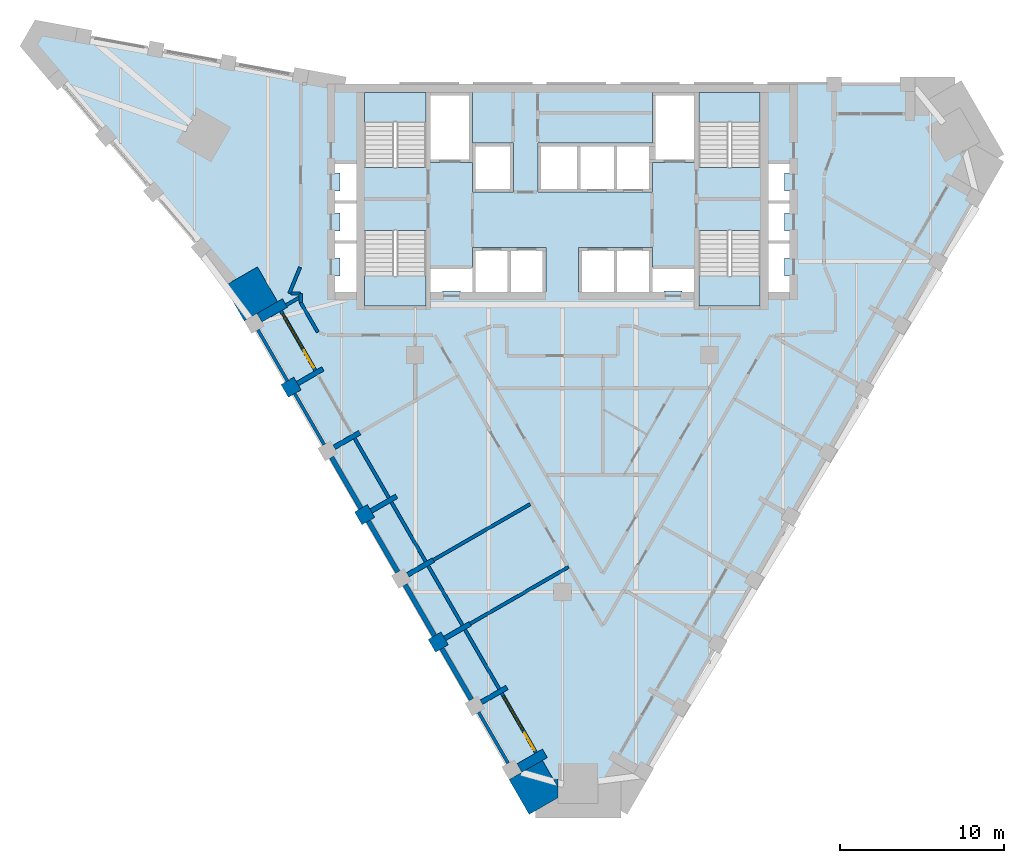
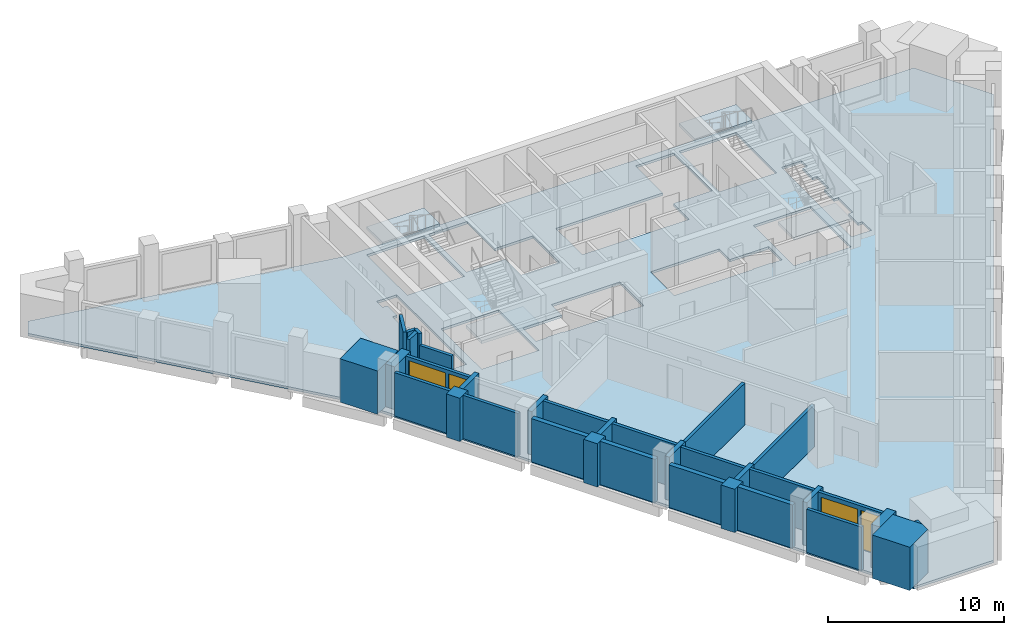
# One storey, part 2 of 9: 34 walls, 5 slabs, 2 doors, 2 windows, 4 openings, 4 elements without a shape of their own.
"""IFC4 building model written with IfcOpenShell, lengths in metres."""

from ifc_helpers import new_model, si_unit, direction, frame, frame_2d, origin, place, context, subcontext, project, spatial, polyline, rectangle, outline, extrude, material, layer, layer_set, type_object, element, fill, aggregate, save


model = new_model("IFC4")

# Units and contexts
model_context = context("Model", 3, precision=1e-05, world=origin(), true_north=direction((0.0, 1.0)))
body_context = subcontext(model_context, "Body", "Model", "MODEL_VIEW")
ifc_project = project(units=[si_unit("LENGTHUNIT", "METRE"), si_unit("AREAUNIT", "SQUARE_METRE"), si_unit("VOLUMEUNIT", "CUBIC_METRE"), si_unit("PLANEANGLEUNIT", "RADIAN"), si_unit("MASSUNIT", "GRAM", prefix="KILO")], contexts=[model_context])

# Site, building, storey
site_placement = place(None, origin())
site = spatial("IfcSite", under=ifc_project, at=site_placement, CompositionType="ELEMENT")
building_placement = place(site_placement, origin())
building = spatial("IfcBuilding", under=site, at=building_placement, Name="Calabash Gate Tower", CompositionType="ELEMENT")
storey_placement = place(building_placement, frame((0.0, 0.0, 208.10009765625)))
storey = spatial("IfcBuildingStorey", under=building, at=storey_placement, Name="L49", CompositionType="ELEMENT", Elevation=208.10009765625)

# Slab
ifc_material_1 = material(Name="Concrete C40/50", Category="concrete")
ifc_layer_1 = layer(ifc_material_1, 0.169921875)
ifc_layer_set_1 = layer_set([ifc_layer_1], Name="Composite floor slab 170 Concrete C40/50")
slab_type_1 = type_object("IfcSlabType", Name="Composite floor slab 170 Concrete C40/50", PredefinedType="FLOOR", material=ifc_layer_set_1)
slab_1_placement = place(storey_placement, frame((0.0, 0.0, -0.170166015625)))
element("IfcSlab", 1, at=slab_1_placement, inside=storey, type_object=slab_type_1, Name="Floor slab L49", PredefinedType="FLOOR", context=body_context, shape_type="SweptSolid", body=[
    extrude(outline(polyline([(3.575439453125, -25.377685546875), (-1.63916015625, -25.377685546875), (-20.291015625, 6.92822265625), (-32.620361328125, 21.43115234375), (-32.015625, 22.478515625), (-13.291015625, 19.052490234375), (24.0126953125, 19.052490234375), (26.619873046875, 14.53662109375), (3.575439453125, -25.377685546875)]), holes=[polyline([(-7.324951171875, 6.3525390625), (-7.324951171875, 6.402587890625), (-6.22509765625, 6.402587890625), (-6.22509765625, 6.3525390625), (-5.5, 6.3525390625), (-3.25, 6.3525390625), (-1.0, 6.3525390625), (-1.0, 9.052490234375), (-3.25, 9.052490234375), (-5.5, 9.052490234375), (-5.5, 7.8525390625), (-8.050048828125, 7.8525390625), (-8.050048828125, 6.3525390625), (-7.324951171875, 6.3525390625)]), polyline([(8.050048828125, 6.3525390625), (8.050048828125, 7.8525390625), (5.5, 7.8525390625), (5.5, 9.052490234375), (3.25, 9.052490234375), (1.0, 9.052490234375), (1.0, 6.3525390625), (3.25, 6.3525390625), (5.5, 6.3525390625), (6.22509765625, 6.3525390625), (6.22509765625, 6.402587890625), (7.324951171875, 6.402587890625), (7.324951171875, 6.3525390625), (8.050048828125, 6.3525390625)]), polyline([(-8.050048828125, 18.552490234375), (-8.050048828125, 14.252685546875), (-5.5, 14.252685546875), (-5.5, 12.45263671875), (-3.0, 12.45263671875), (-3.0, 15.45263671875), (-5.5, 15.45263671875), (-5.5, 18.552490234375), (-8.050048828125, 18.552490234375)]), polyline([(5.5, 14.252685546875), (8.050048828125, 14.252685546875), (8.050048828125, 18.552490234375), (5.5, 18.552490234375), (5.5, 15.45263671875), (3.25, 15.45263671875), (1.0, 15.45263671875), (-1.5, 15.45263671875), (-1.5, 12.45263671875), (1.0, 12.45263671875), (3.25, 12.45263671875), (5.5, 12.45263671875), (5.5, 14.252685546875)]), polyline([(-12.10009765625, 13.95263671875), (-8.35009765625, 13.95263671875), (-8.35009765625, 18.552490234375), (-12.10009765625, 18.552490234375), (-12.10009765625, 13.95263671875)]), polyline([(-8.35009765625, 5.502685546875), (-8.35009765625, 10.1025390625), (-12.10009765625, 10.1025390625), (-12.10009765625, 5.502685546875), (-8.35009765625, 5.502685546875)]), polyline([(12.10009765625, 18.552490234375), (8.35009765625, 18.552490234375), (8.35009765625, 13.95263671875), (12.10009765625, 13.95263671875), (12.10009765625, 18.552490234375)]), polyline([(8.35009765625, 10.1025390625), (8.35009765625, 5.502685546875), (12.10009765625, 5.502685546875), (12.10009765625, 10.1025390625), (8.35009765625, 10.1025390625)]), polyline([(-13.89990234375, 6.3525390625), (-12.60009765625, 6.3525390625), (-12.60009765625, 9.402587890625), (-12.60009765625, 11.842529296875), (-12.60009765625, 14.28271484375), (-13.89990234375, 14.28271484375), (-13.89990234375, 13.612548828125), (-13.60009765625, 13.612548828125), (-13.60009765625, 12.5126953125), (-13.89990234375, 12.5126953125), (-13.89990234375, 11.842529296875), (-13.89990234375, 11.172607421875), (-13.60009765625, 11.172607421875), (-13.60009765625, 10.072509765625), (-13.89990234375, 10.072509765625), (-13.89990234375, 9.402587890625), (-13.89990234375, 8.427490234375), (-13.60009765625, 8.427490234375), (-13.60009765625, 7.32763671875), (-13.89990234375, 7.32763671875), (-13.89990234375, 6.3525390625)]), polyline([(13.60009765625, 7.32763671875), (13.60009765625, 8.427490234375), (13.89990234375, 8.427490234375), (13.89990234375, 9.402587890625), (13.89990234375, 10.072509765625), (13.60009765625, 10.072509765625), (13.60009765625, 11.172607421875), (13.89990234375, 11.172607421875), (13.89990234375, 11.842529296875), (13.89990234375, 12.5126953125), (13.60009765625, 12.5126953125), (13.60009765625, 13.612548828125), (13.89990234375, 13.612548828125), (13.89990234375, 14.28271484375), (12.60009765625, 14.28271484375), (12.60009765625, 11.842529296875), (12.60009765625, 9.402587890625), (12.60009765625, 6.3525390625), (13.89990234375, 6.3525390625), (13.89990234375, 7.32763671875), (13.60009765625, 7.32763671875)])]), origin(), (0.0, 0.0, 1.0), 0.170166015625),
])

# Stair, slab
ifc_material_2 = material(Name="Concrete C40/50", Category="concrete")
stair_type = type_object("IfcStairType", Name="Exit stair 22 risers of 177.3 mm", PredefinedType="HALF_TURN_STAIR", material=ifc_material_2)
stair_1_placement = place(storey_placement, origin())
stair_1 = element("IfcStair", 2, at=stair_1_placement, inside=storey, type_object=stair_type, Name="L49 Exit stair ST1", PredefinedType="HALF_TURN_STAIR")
ifc_material_3 = material(Name="Concrete C40/50", Category="concrete")
ifc_layer_2 = layer(ifc_material_3, 0.199951171875)
ifc_layer_set_2 = layer_set([ifc_layer_2], Name="Stair landing SL200")
slab_type_2 = type_object("IfcSlabType", Name="Stair landing SL200", PredefinedType="LANDING", material=ifc_layer_set_2)
slab_2_placement = place(storey_placement, frame((0.0, 0.0, 1.75)))
slab_2 = element("IfcSlab", 3, at=slab_2_placement, type_object=slab_type_2, Name="ST1 landing 1", PredefinedType="LANDING", context=body_context, shape_type="SweptSolid", body=[
    extrude(outline(polyline([(-8.35009765625, 16.74267578125), (-8.35009765625, 18.552490234375), (-12.10009765625, 18.552490234375), (-12.10009765625, 16.74267578125), (-8.35009765625, 16.74267578125)])), origin(), (0.0, 0.0, 1.0), 0.199951171875),
])
aggregate(stair_1, [slab_2])

stair_2_placement = place(storey_placement, origin())
stair_2 = element("IfcStair", 4, at=stair_2_placement, inside=storey, type_object=stair_type, Name="L49 Exit stair ST2", PredefinedType="HALF_TURN_STAIR")
slab_3_placement = place(storey_placement, frame((0.0, 0.0, 1.75)))
slab_3 = element("IfcSlab", 5, at=slab_3_placement, type_object=slab_type_2, Name="ST2 landing 1", PredefinedType="LANDING", context=body_context, shape_type="SweptSolid", body=[
    extrude(outline(polyline([(-12.10009765625, 7.3125), (-12.10009765625, 5.502685546875), (-8.35009765625, 5.502685546875), (-8.35009765625, 7.3125), (-12.10009765625, 7.3125)])), origin(), (0.0, 0.0, 1.0), 0.199951171875),
])
aggregate(stair_2, [slab_3])

stair_3_placement = place(storey_placement, origin())
stair_3 = element("IfcStair", 6, at=stair_3_placement, inside=storey, type_object=stair_type, Name="L49 Exit stair ST3", PredefinedType="HALF_TURN_STAIR")
slab_4_placement = place(storey_placement, frame((0.0, 0.0, 1.75)))
slab_4 = element("IfcSlab", 7, at=slab_4_placement, type_object=slab_type_2, Name="ST3 landing 1", PredefinedType="LANDING", context=body_context, shape_type="SweptSolid", body=[
    extrude(outline(polyline([(12.10009765625, 16.74267578125), (12.10009765625, 18.552490234375), (8.35009765625, 18.552490234375), (8.35009765625, 16.74267578125), (12.10009765625, 16.74267578125)])), origin(), (0.0, 0.0, 1.0), 0.199951171875),
])
aggregate(stair_3, [slab_4])

stair_4_placement = place(storey_placement, origin())
stair_4 = element("IfcStair", 8, at=stair_4_placement, inside=storey, type_object=stair_type, Name="L49 Exit stair ST4", PredefinedType="HALF_TURN_STAIR")
slab_5_placement = place(storey_placement, frame((0.0, 0.0, 1.75)))
slab_5 = element("IfcSlab", 9, at=slab_5_placement, type_object=slab_type_2, Name="ST4 landing 1", PredefinedType="LANDING", context=body_context, shape_type="SweptSolid", body=[
    extrude(outline(polyline([(8.35009765625, 7.3125), (8.35009765625, 5.502685546875), (12.10009765625, 5.502685546875), (12.10009765625, 7.3125), (8.35009765625, 7.3125)])), origin(), (0.0, 0.0, 1.0), 0.199951171875),
])
aggregate(stair_4, [slab_5])

# Walls
ifc_material_4 = material(Name="Terracotta brick masonry, exposed face", Category="masonry")
ifc_layer_3 = layer(ifc_material_4, 2.35009765625)
ifc_layer_set_3 = layer_set([ifc_layer_3], Name="Brick corner mass wall 2350")
wall_type_1 = type_object("IfcWallType", Name="Brick corner mass wall 2350", PredefinedType="SOLIDWALL", material=ifc_layer_set_3)
wall_1_placement = place(storey_placement, origin())
element("IfcWall", 10, at=wall_1_placement, inside=storey, type_object=wall_type_1, Name="Brick corner pier S14 1", PredefinedType="SOLIDWALL", context=body_context, shape_type="SweptSolid", body=[
    extrude(outline(polyline([(-19.45458984375, 4.581787109375), (-18.67529296875, 5.03173828125), (-18.674560546875, 5.0302734375), (-17.419677734375, 5.7548828125), (-18.6455078125, 7.878173828125), (-20.6806640625, 6.703125), (-19.454833984375, 4.579833984375), (-19.453857421875, 4.580322265625), (-19.45458984375, 4.581787109375)])), origin(), (0.0, 0.0, 1.0), 3.0),
])
wall_2_placement = place(storey_placement, origin())
element("IfcWall", 11, at=wall_2_placement, inside=storey, type_object=wall_type_1, Name="Brick corner pier S14 2a", PredefinedType="SOLIDWALL", context=body_context, shape_type="SweptSolid", body=[
    extrude(outline(polyline([(-0.257080078125, -23.9716796875), (-1.219482421875, -22.30419921875), (-3.254638671875, -23.479248046875), (-2.02880859375, -25.6025390625), (-0.257080078125, -24.57958984375), (-0.257080078125, -23.9716796875)])), origin(), (0.0, 0.0, 1.0), 3.0),
])
wall_3_placement = place(storey_placement, origin())
element("IfcWall", 12, at=wall_3_placement, inside=storey, type_object=wall_type_1, Name="Brick corner pier S14 2bb", PredefinedType="SOLIDWALL", context=body_context, shape_type="SweptSolid", body=[
    extrude(outline(polyline([(-0.542236328125, -23.4775390625), (-0.257080078125, -23.9716796875), (-0.257080078125, -23.4775390625), (-0.542236328125, -23.4775390625)])), origin(), (0.0, 0.0, 1.0), 3.0),
])
ifc_material_5 = material(Name="Terracotta brick masonry, exposed face", Category="masonry")
ifc_layer_4 = layer(ifc_material_5, 0.89990234375)
ifc_layer_set_4 = layer_set([ifc_layer_4], Name="Brick end wall 900")
wall_type_2 = type_object("IfcWallType", Name="Brick end wall 900", PredefinedType="SOLIDWALL", material=ifc_layer_set_4)
for number, where, z_axis, x_axis, name in (
    (13, (-16.81494140625, 0.90771484375, 0.0), (0.0, 0.0, 1.0), (0.50001992892, -0.866013897511, 0.0), "Brick pier S14 SW0.1"),
    (14, (-12.479736328125, -7.501220703125, 0.0), (0.0, 0.0, 1.0), (0.865896406789, 0.500223362819, 0.0), "Brick pier S14 SW0.3"),
    (15, (-7.979736328125, -15.29541015625, 0.0), (0.0, 0.0, 1.0), (0.866013897511, 0.50001992892, 0.0), "Brick pier S14 SW0.5"),
):
    element("IfcWall", number, at=place(storey_placement, frame(where, z_axis=z_axis, x_axis=x_axis)), inside=storey, type_object=wall_type_2, Name=name, PredefinedType="SOLIDWALL", context=body_context, shape_type="SweptSolid", body=[
        extrude(rectangle(XDim=0.89990234375, YDim=0.89990234375, at=frame_2d((0.449951171875, 0.0))), origin(), (0.0, 0.0, 1.0), 3.0),
    ])
ifc_material_6 = material(Name="Terracotta brick masonry, exposed face", Category="masonry")
ifc_layer_5 = layer(ifc_material_6, 0.300048828125)
ifc_layer_set_5 = layer_set([ifc_layer_5], Name="Brick infill panel wall 300")
wall_type_3 = type_object("IfcWallType", Name="Brick infill panel wall 300", PredefinedType="SOLIDWALL", material=ifc_layer_set_5)
for number, where, z_axis, x_axis, name in (
    (16, (-14.114990234375, -3.768798828125, 0.0), (0.0, 0.0, 1.0), (0.500012057535, -0.866018442252, 0.0), "Brick panel S14 SW0.3"),
    (17, (-11.864990234375, -7.665771484375, 0.0), (0.0, 0.0, 1.0), (0.500012057535, -0.866018442252, 0.0), "Brick panel S14 SW0.4"),
):
    element("IfcWall", number, at=place(storey_placement, frame(where, z_axis=z_axis, x_axis=x_axis)), inside=storey, type_object=wall_type_3, Name=name, PredefinedType="SOLIDWALL", context=body_context, shape_type="SweptSolid", body=[
        extrude(rectangle(XDim=3.60009765625, YDim=0.300048828125, at=frame_2d((1.800048828125, 0.0))), origin(), (0.0, 0.0, 1.0), 3.0),
    ])
wall_4_placement = place(storey_placement, frame((-9.614990234375, -11.56298828125, 0.0), z_axis=(0.0, 0.0, 1.0), x_axis=(0.500012057535, -0.866018442252, 0.0)))
element("IfcWall", 18, at=wall_4_placement, inside=storey, type_object=wall_type_3, Name="Brick panel S14 SW0.5", PredefinedType="SOLIDWALL", context=body_context, shape_type="SweptSolid", body=[
    extrude(rectangle(XDim=3.60009765625, YDim=0.300048828125, at=frame_2d((1.800048828125, 0.0))), origin(), (0.0, 0.0, 1.0), 2.949951171875),
])
wall_5_placement = place(storey_placement, frame((-5.565185546875, -18.577392578125, 0.0), z_axis=(0.0, 0.0, 1.0), x_axis=(-0.499990559667, 0.866030854095, 0.0)))
element("IfcWall", 19, at=wall_5_placement, inside=storey, type_object=wall_type_3, Name="Brick panel S14 SW0.6", PredefinedType="SOLIDWALL", context=body_context, shape_type="SweptSolid", body=[
    extrude(rectangle(XDim=3.599609375, YDim=0.300048828125, at=frame_2d((1.7998046875, 0.0))), origin(), (0.0, 0.0, 1.0), 3.0),
])
ifc_material_7 = material(Name="Terracotta brick masonry, exposed face", Category="masonry")
ifc_layer_6 = layer(ifc_material_7, 0.300048828125)
ifc_layer_set_6 = layer_set([ifc_layer_6], Name="Brick loggia cheek wall 300")
wall_type_4 = type_object("IfcWallType", Name="Brick loggia cheek wall 300", PredefinedType="SOLIDWALL", material=ifc_layer_set_6)
wall_6_placement = place(storey_placement, frame((-18.5244140625, 4.7705078125, 0.0), z_axis=(0.0, 0.0, 1.0), x_axis=(0.86597086914, 0.50009444488, 0.0)))
element("IfcWall", 20, at=wall_6_placement, inside=storey, type_object=wall_type_4, Name="Loggia cheek S14 SW0.0", PredefinedType="SOLIDWALL", context=body_context, shape_type="SweptSolid", body=[
    extrude(rectangle(XDim=1.799072265625, YDim=0.60009765625, at=frame_2d((0.8994140625, 0.0))), origin(), (0.0, 0.0, 1.0), 2.949951171875),
])
wall_7_placement = place(storey_placement, frame((-16.200439453125, 0.7431640625, 0.0), z_axis=(0.0, 0.0, 1.0), x_axis=(0.866047807691, 0.499961193289, 0.0)))
element("IfcWall", 21, at=wall_7_placement, inside=storey, type_object=wall_type_4, Name="Loggia cheek S14 SW0.1", PredefinedType="SOLIDWALL", context=body_context, shape_type="SweptSolid", body=[
    extrude(rectangle(XDim=1.800048828125, YDim=0.300048828125, at=frame_2d((0.89990234375, 0.0))), origin(), (0.0, 0.0, 1.0), 3.0),
])
wall_8_placement = place(storey_placement, frame((-12.3916015625, -2.25390625, 0.0), z_axis=(0.0, 0.0, 1.0), x_axis=(-0.865955154139, -0.50012165622, 0.0)))
element("IfcWall", 22, at=wall_8_placement, inside=storey, type_object=wall_type_4, Name="Loggia cheek S14 SW0.2", PredefinedType="SOLIDWALL", context=body_context, shape_type="SweptSolid", body=[
    extrude(rectangle(XDim=1.7998046875, YDim=0.300048828125, at=frame_2d((0.89990234375, 0.0))), origin(), (0.0, 0.0, 1.0), 3.0),
])
wall_9_placement = place(storey_placement, frame((-10.1416015625, -6.151123046875, 0.0), z_axis=(0.0, 0.0, 1.0), x_axis=(-0.866047807691, -0.499961193289, 0.0)))
element("IfcWall", 23, at=wall_9_placement, inside=storey, type_object=wall_type_4, Name="Loggia cheek S14 SW0.3", PredefinedType="SOLIDWALL", context=body_context, shape_type="SweptSolid", body=[
    extrude(rectangle(XDim=1.800048828125, YDim=0.300048828125, at=frame_2d((0.89990234375, 0.0))), origin(), (0.0, 0.0, 1.0), 3.0),
])
wall_10_placement = place(storey_placement, frame((-7.8916015625, -10.04833984375, 0.0), z_axis=(0.0, 0.0, 1.0), x_axis=(-0.866013897511, -0.50001992892, 0.0)))
element("IfcWall", 24, at=wall_10_placement, inside=storey, type_object=wall_type_4, Name="Loggia cheek S14 SW0.4", PredefinedType="SOLIDWALL", context=body_context, shape_type="SweptSolid", body=[
    extrude(rectangle(XDim=1.7998046875, YDim=0.300048828125, at=frame_2d((0.89990234375, 0.0))), origin(), (0.0, 0.0, 1.0), 3.0),
])
wall_11_placement = place(storey_placement, frame((-7.200439453125, -14.845458984375, 0.0), z_axis=(0.0, 0.0, 1.0), x_axis=(0.865989075817, 0.500062916607, 0.0)))
element("IfcWall", 25, at=wall_11_placement, inside=storey, type_object=wall_type_4, Name="Loggia cheek S14 SW0.5", PredefinedType="SOLIDWALL", context=body_context, shape_type="SweptSolid", body=[
    extrude(rectangle(XDim=1.800048828125, YDim=0.300048828125, at=frame_2d((0.89990234375, 0.0))), origin(), (0.0, 0.0, 1.0), 3.0),
])
wall_12_placement = place(storey_placement, frame((-4.9501953125, -18.742431640625, 0.0), z_axis=(0.0, 0.0, 1.0), x_axis=(0.866013897511, 0.50001992892, 0.0)))
element("IfcWall", 26, at=wall_12_placement, inside=storey, type_object=wall_type_4, Name="Loggia cheek S14 SW0.6", PredefinedType="SOLIDWALL", context=body_context, shape_type="SweptSolid", body=[
    extrude(rectangle(XDim=1.7998046875, YDim=0.300048828125, at=frame_2d((0.89990234375, 0.0))), origin(), (0.0, 0.0, 1.0), 3.0),
])
wall_13_placement = place(storey_placement, frame((-1.06640625, -21.869384765625, 0.0), z_axis=(0.0, 0.0, 1.0), x_axis=(-0.865989075817, -0.500062916607, 0.0)))
element("IfcWall", 27, at=wall_13_placement, inside=storey, type_object=wall_type_4, Name="Loggia cheek S14 SW0.7", PredefinedType="SOLIDWALL", context=body_context, shape_type="SweptSolid", body=[
    extrude(rectangle(XDim=1.800048828125, YDim=0.60009765625, at=frame_2d((0.89990234375, 0.0))), origin(), (0.0, 0.0, 1.0), 3.0),
])
ifc_material_8 = material(Name="Gypsum board on steel studs, mineral wool", Category="steel")
ifc_layer_7 = layer(ifc_material_8, 0.199951171875)
ifc_layer_set_7 = layer_set([ifc_layer_7], Name="Partition 200 gypsum board EI 60")
wall_type_5 = type_object("IfcWallType", Name="Partition 200 gypsum board EI 60", PredefinedType="PARTITIONING", material=ifc_layer_set_7)
wall_14_placement = place(storey_placement, frame((-5.64111328125, -13.94580078125, 0.0), z_axis=(0.0, 0.0, 1.0), x_axis=(0.866131772529, 0.499815718657, 0.0)))
element("IfcWall", 28, at=wall_14_placement, inside=storey, type_object=wall_type_5, Name="Partition", PredefinedType="PARTITIONING", context=body_context, shape_type="SweptSolid", body=[
    extrude(rectangle(XDim=6.94921875, YDim=0.199951171875, at=frame_2d((3.474609375, 0.0))), origin(), (0.0, 0.0, 1.0), 2.884033203125),
])
wall_15_placement = place(storey_placement, frame((-7.891357421875, -10.04833984375, 0.0), z_axis=(0.0, 0.0, 1.0), x_axis=(0.866160062832, 0.499766691121, 0.0)))
element("IfcWall", 29, at=wall_15_placement, inside=storey, type_object=wall_type_5, Name="Partition", PredefinedType="PARTITIONING", context=body_context, shape_type="SweptSolid", body=[
    extrude(rectangle(XDim=6.847900390625, YDim=0.199951171875, at=frame_2d((3.423828125, 0.0))), origin(), (0.0, 0.0, 1.0), 2.884033203125),
])
wall_16_placement = place(storey_placement, frame((-16.00048828125, 5.696044921875, 0.0), z_axis=(0.0, 0.0, 1.0), x_axis=(0.500005339912, -0.866022320763, 0.0)))
element("IfcWall", 30, at=wall_16_placement, inside=storey, type_object=wall_type_5, Name="Partition", PredefinedType="PARTITIONING", context=body_context, shape_type="SweptSolid", body=[
    extrude(rectangle(XDim=2.091796875, YDim=0.199951171875, at=frame_2d((1.0458984375, 0.0))), origin(), (0.0, 0.0, 1.0), 2.949951171875),
])
wall_17_placement = place(storey_placement, frame((-16.00048828125, 6.252197265625, 0.0), z_axis=(0.0, 0.0, 1.0), x_axis=(0.0, -1.0, 0.0)))
element("IfcWall", 31, at=wall_17_placement, inside=storey, type_object=wall_type_5, Name="Partition", PredefinedType="PARTITIONING", context=body_context, shape_type="SweptSolid", body=[
    extrude(rectangle(XDim=0.55615234375, YDim=0.199951171875, at=frame_2d((0.278076171875, 0.0))), origin(), (0.0, 0.0, 1.0), 3.72998046875),
])
wall_18_placement = place(storey_placement, frame((-16.891357421875, 5.5400390625, 0.0), z_axis=(0.0, 0.0, 1.0), x_axis=(0.866839797448, 0.498586768337, 0.0)))
element("IfcWall", 32, at=wall_18_placement, inside=storey, type_object=wall_type_5, Name="Partition", PredefinedType="PARTITIONING", context=body_context, shape_type="SweptSolid", body=[
    extrude(rectangle(XDim=0.912353515625, YDim=0.199951171875, at=frame_2d((0.4560546875, 0.0))), origin(), (0.0, 0.0, 1.0), 3.72998046875),
])
wall_19_placement = place(storey_placement, frame((-16.700439453125, 6.252685546875, 0.0), z_axis=(0.0, 0.0, 1.0), x_axis=(0.380742741509, 0.924681007044, 0.0)))
element("IfcWall", 33, at=wall_19_placement, inside=storey, type_object=wall_type_5, Name="Partition", PredefinedType="PARTITIONING", context=body_context, shape_type="SweptSolid", body=[
    extrude(rectangle(XDim=1.73828125, YDim=0.199951171875, at=frame_2d((0.869140625, 0.0))), origin(), (0.0, 0.0, 1.0), 3.72998046875),
])
wall_20_placement = place(storey_placement, frame((-16.6005859375, 6.25244140625, 0.0), z_axis=(0.0, 0.0, 1.0), x_axis=(0.999999917243, -0.000406834791, 0.0)))
element("IfcWall", 34, at=wall_20_placement, inside=storey, type_object=wall_type_5, Name="Partition", PredefinedType="PARTITIONING", context=body_context, shape_type="SweptSolid", body=[
    extrude(rectangle(XDim=0.60009765625, YDim=0.199951171875, at=frame_2d((0.300048828125, 0.0))), origin(), (0.0, 0.0, 1.0), 3.72998046875),
])
ifc_material_9 = material(Name="Terracotta brick masonry, perforated", Category="masonry")
ifc_layer_8 = layer(ifc_material_9, 0.199951171875)
ifc_layer_set_8 = layer_set([ifc_layer_8], Name="Terracotta jaali screen B")
wall_type_6 = type_object("IfcWallType", Name="Terracotta jaali screen B", PredefinedType="SOLIDWALL", material=ifc_layer_set_8)
for number, where, z_axis, x_axis, name in (
    (35, (-18.614990234375, 4.025390625, 0.0), (0.0, 0.0, 1.0), (0.500012057535, -0.866018442252, 0.0), "SCREEN B S14 SW0.1"),
    (36, (-16.364990234375, 0.12841796875, 0.0), (0.0, 0.0, 1.0), (0.500012057535, -0.866018442252, 0.0), "SCREEN B S14 SW0.2"),
):
    element("IfcWall", number, at=place(storey_placement, frame(where, z_axis=z_axis, x_axis=x_axis)), inside=storey, type_object=wall_type_6, Name=name, PredefinedType="SOLIDWALL", context=body_context, shape_type="SweptSolid", body=[
        extrude(rectangle(XDim=3.60009765625, YDim=0.199951171875, at=frame_2d((1.800048828125, 0.0))), origin(), (0.0, 0.0, 1.0), 3.0),
    ])
wall_21_placement = place(storey_placement, origin())
element("IfcWall", 37, at=wall_21_placement, inside=storey, type_object=wall_type_6, Name="SCREEN B S14 SW0.7", PredefinedType="SOLIDWALL", context=body_context, shape_type="SweptSolid", body=[
    extrude(outline(polyline([(-5.20166015625, -19.4072265625), (-3.40234375, -22.523681640625), (-3.22900390625, -22.423828125), (-5.028564453125, -19.30712890625), (-5.20166015625, -19.4072265625)])), origin(), (0.0, 0.0, 1.0), 3.0),
])

# Wall, openings, door, window
ifc_material_10 = material(Name="Aluminium framed window wall with insulated spandrel", Category="aluminium")
ifc_layer_9 = layer(ifc_material_10, 0.199951171875)
ifc_layer_set_9 = layer_set([ifc_layer_9], Name="Window wall 200")
wall_type_7 = type_object("IfcWallType", Name="Window wall 200", PredefinedType="ELEMENTEDWALL", material=ifc_layer_set_9)
wall_22_placement = place(storey_placement, frame((-17.206298828125, 5.185302734375, 0.0), z_axis=(0.0, 0.0, 1.0), x_axis=(0.500027713859, -0.866009402589, 0.0)))
wall_22 = element("IfcWall", 38, at=wall_22_placement, inside=storey, type_object=wall_type_7, Name="Window wall S14 SW0.1", PredefinedType="ELEMENTEDWALL", context=body_context, shape_type="SweptSolid", body=[
    extrude(rectangle(XDim=4.199951171875, YDim=0.199951171875, at=frame_2d((2.10009765625, 0.0))), origin(), (0.0, 0.0, 1.0), 2.949951171875),
])
opening_1_placement = place(wall_22_placement, frame((0.199951171875, 0.0, 0.449951171875)))
opening_1 = element("IfcOpeningElement", 39, at=opening_1_placement, cuts=wall_22, Name="Opening OW1", PredefinedType="OPENING", context=body_context, shape_type="SweptSolid", body=[
    extrude(rectangle(XDim=2.39990234375, YDim=2.25, at=frame_2d((1.199951171875, 1.125))), frame((0.0, 0.10986328125, 0.0), z_axis=(0.0, -1.0, 0.0), x_axis=(1.0, 0.0, 0.0)), (0.0, 0.0, 1.0), 0.219970703125),
])
opening_2_placement = place(wall_22_placement, frame((2.800048828125, 0.0, 0.0)))
opening_2 = element("IfcOpeningElement", 40, at=opening_2_placement, cuts=wall_22, Name="Opening O6-025", PredefinedType="OPENING", context=body_context, shape_type="SweptSolid", body=[
    extrude(rectangle(XDim=1.199951171875, YDim=2.699951171875, at=frame_2d((0.60009765625, 1.35009765625))), frame((0.0, 0.10986328125, 0.0), z_axis=(0.0, -1.0, 0.0), x_axis=(1.0, 0.0, 0.0)), (0.0, 0.0, 1.0), 0.219970703125),
])
ifc_material_11 = material(Name="Anodised aluminium frame, bronze finish, impact-rated laminated clear glazing", Category="aluminium")
door_type = type_object("IfcDoorType", Name="Loggia door DO1 1200x2700", OperationType="SLIDING_TO_LEFT", PredefinedType="DOOR", material=ifc_material_11)
door_1_placement = place(opening_2_placement, origin())
door_1 = element("IfcDoor", 41, at=door_1_placement, inside=storey, type_object=door_type, Name="Loggia door S14 SW0.1", OperationType="SINGLE_SWING_LEFT", OverallHeight=2.699951171875, OverallWidth=1.199951171875, PredefinedType="DOOR", context=body_context, shape_type="SweptSolid", body=[
    extrude(rectangle(XDim=1.199951171875, YDim=2.699951171875, at=frame_2d((0.60009765625, 1.35009765625))), frame((0.0, 0.02490234375, 0.0), z_axis=(0.0, -1.0, 0.0), x_axis=(1.0, 0.0, 0.0)), (0.0, 0.0, 1.0), 0.050048828125),
])
fill(opening_2, door_1)
ifc_material_12 = material(Name="Anodised aluminium frame, bronze finish, impact-rated laminated clear glazing", Category="aluminium")
window_type = type_object("IfcWindowType", Name="Window OW1 2400x2250", PartitioningType="DOUBLE_PANEL_VERTICAL", PredefinedType="WINDOW", material=ifc_material_12)
window_1_placement = place(opening_1_placement, origin())
window_1 = element("IfcWindow", 42, at=window_1_placement, inside=storey, type_object=window_type, Name="Window OW1 S14 SW0.1", OverallHeight=2.25, OverallWidth=2.39990234375, PartitioningType="SINGLE_PANEL", PredefinedType="WINDOW", context=body_context, shape_type="SweptSolid", body=[
    extrude(rectangle(XDim=2.39990234375, YDim=2.25, at=frame_2d((1.199951171875, 1.125))), frame((0.0, 0.030029296875, 0.0), z_axis=(0.0, -1.0, 0.0), x_axis=(1.0, 0.0, 0.0)), (0.0, 0.0, 1.0), 0.06005859375),
])
fill(opening_1, window_1)

# Walls
wall_23_placement = place(storey_placement, frame((-12.706298828125, -2.60888671875, 0.0), z_axis=(0.0, 0.0, 1.0), x_axis=(0.500002543286, -0.866023935413, 0.0)))
element("IfcWall", 43, at=wall_23_placement, inside=storey, type_object=wall_type_7, Name="Window wall S14 SW0.3", PredefinedType="ELEMENTEDWALL", context=body_context, shape_type="SweptSolid", body=[
    extrude(rectangle(XDim=4.2001953125, YDim=0.199951171875, at=frame_2d((2.10009765625, 0.0))), origin(), (0.0, 0.0, 1.0), 3.0),
])
wall_24_placement = place(storey_placement, frame((-10.456298828125, -6.506103515625, 0.0), z_axis=(0.0, 0.0, 1.0), x_axis=(0.500027713859, -0.866009402589, 0.0)))
element("IfcWall", 44, at=wall_24_placement, inside=storey, type_object=wall_type_7, Name="Window wall S14 SW0.4", PredefinedType="ELEMENTEDWALL", context=body_context, shape_type="SweptSolid", body=[
    extrude(rectangle(XDim=4.199951171875, YDim=0.199951171875, at=frame_2d((2.10009765625, 0.0))), origin(), (0.0, 0.0, 1.0), 3.0),
])
wall_25_placement = place(storey_placement, frame((-8.206298828125, -10.403076171875, 0.0), z_axis=(0.0, 0.0, 1.0), x_axis=(0.500002543286, -0.866023935413, 0.0)))
element("IfcWall", 45, at=wall_25_placement, inside=storey, type_object=wall_type_7, Name="Window wall S14 SW0.5", PredefinedType="ELEMENTEDWALL", context=body_context, shape_type="SweptSolid", body=[
    extrude(rectangle(XDim=4.2001953125, YDim=0.199951171875, at=frame_2d((2.10009765625, 0.0))), origin(), (0.0, 0.0, 1.0), 2.949951171875),
])
wall_26_placement = place(storey_placement, frame((-5.956298828125, -14.30029296875, 0.0), z_axis=(0.0, 0.0, 1.0), x_axis=(0.500027713859, -0.866009402589, 0.0)))
element("IfcWall", 46, at=wall_26_placement, inside=storey, type_object=wall_type_7, Name="Window wall S14 SW0.6", PredefinedType="ELEMENTEDWALL", context=body_context, shape_type="SweptSolid", body=[
    extrude(rectangle(XDim=4.199951171875, YDim=0.199951171875, at=frame_2d((2.10009765625, 0.0))), origin(), (0.0, 0.0, 1.0), 3.0),
])

# Wall, openings, door, window
wall_27_placement = place(storey_placement, frame((-3.706298828125, -18.197265625, 0.0), z_axis=(0.0, 0.0, 1.0), x_axis=(0.500002543286, -0.866023935413, 0.0)))
wall_27 = element("IfcWall", 47, at=wall_27_placement, inside=storey, type_object=wall_type_7, Name="Window wall S14 SW0.7", PredefinedType="ELEMENTEDWALL", context=body_context, shape_type="SweptSolid", body=[
    extrude(rectangle(XDim=4.2001953125, YDim=0.199951171875, at=frame_2d((2.10009765625, 0.0))), origin(), (0.0, 0.0, 1.0), 3.0),
])
opening_3_placement = place(wall_27_placement, frame((0.199951171875, 0.0, 0.449951171875)))
opening_3 = element("IfcOpeningElement", 48, at=opening_3_placement, cuts=wall_27, Name="Opening OW1", PredefinedType="OPENING", context=body_context, shape_type="SweptSolid", body=[
    extrude(rectangle(XDim=2.39990234375, YDim=2.25, at=frame_2d((1.199951171875, 1.125))), frame((0.0, 0.10986328125, 0.0), z_axis=(0.0, -1.0, 0.0), x_axis=(1.0, 0.0, 0.0)), (0.0, 0.0, 1.0), 0.219970703125),
])
opening_4_placement = place(wall_27_placement, frame((2.800048828125, 0.0, 0.0)))
opening_4 = element("IfcOpeningElement", 49, at=opening_4_placement, cuts=wall_27, Name="Opening O6-026", PredefinedType="OPENING", context=body_context, shape_type="SweptSolid", body=[
    extrude(rectangle(XDim=1.199951171875, YDim=2.699951171875, at=frame_2d((0.60009765625, 1.35009765625))), frame((0.0, 0.10986328125, 0.0), z_axis=(0.0, -1.0, 0.0), x_axis=(1.0, 0.0, 0.0)), (0.0, 0.0, 1.0), 0.219970703125),
])
door_2_placement = place(opening_4_placement, origin())
door_2 = element("IfcDoor", 50, at=door_2_placement, inside=storey, type_object=door_type, Name="Loggia door S14 SW0.7", OperationType="SINGLE_SWING_LEFT", OverallHeight=2.699951171875, OverallWidth=1.199951171875, PredefinedType="DOOR", context=body_context, shape_type="SweptSolid", body=[
    extrude(rectangle(XDim=1.199951171875, YDim=2.699951171875, at=frame_2d((0.60009765625, 1.35009765625))), frame((0.0, 0.02490234375, 0.0), z_axis=(0.0, -1.0, 0.0), x_axis=(1.0, 0.0, 0.0)), (0.0, 0.0, 1.0), 0.050048828125),
])
fill(opening_4, door_2)
window_2_placement = place(opening_3_placement, origin())
window_2 = element("IfcWindow", 51, at=window_2_placement, inside=storey, type_object=window_type, Name="Window OW1 S14 SW0.7", OverallHeight=2.25, OverallWidth=2.39990234375, PartitioningType="SINGLE_PANEL", PredefinedType="WINDOW", context=body_context, shape_type="SweptSolid", body=[
    extrude(rectangle(XDim=2.39990234375, YDim=2.25, at=frame_2d((1.199951171875, 1.125))), frame((0.0, 0.030029296875, 0.0), z_axis=(0.0, -1.0, 0.0), x_axis=(1.0, 0.0, 0.0)), (0.0, 0.0, 1.0), 0.06005859375),
])
fill(opening_3, window_2)

save(model, "model.ifc")
